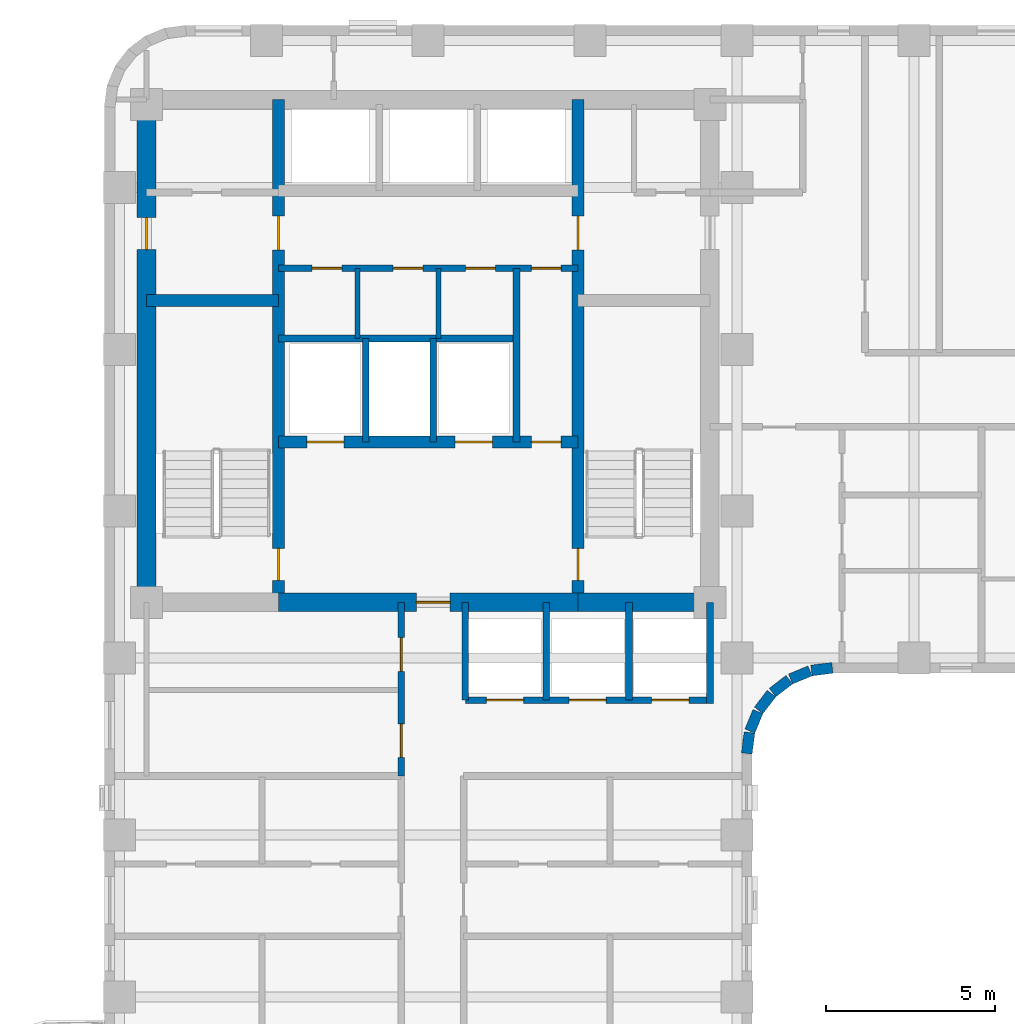
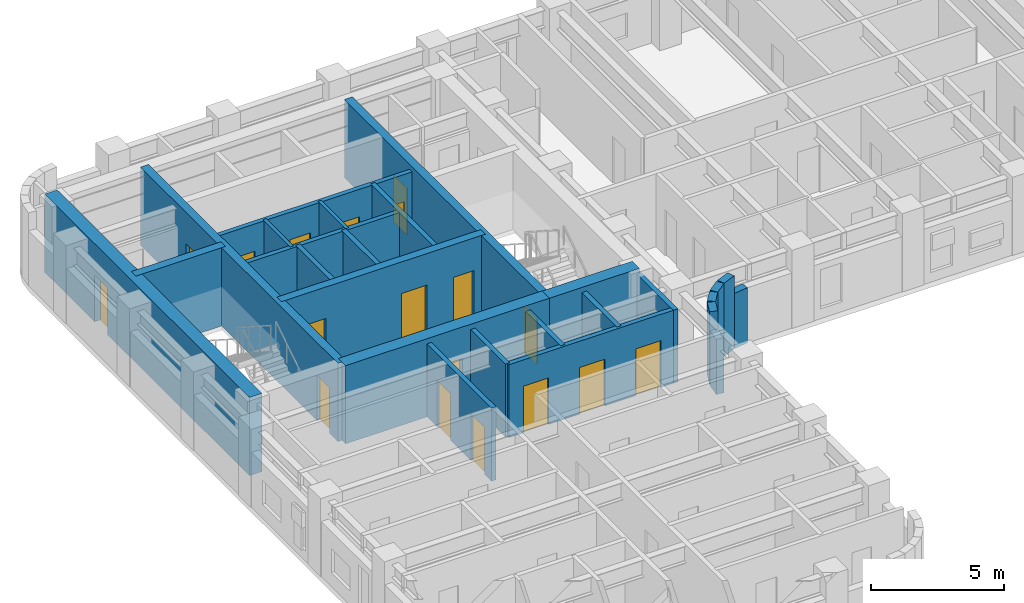
# One storey, part 4 of 10: 26 walls, 18 doors, 18 openings.
"""IFC4 building model written with IfcOpenShell, lengths in metres."""

from ifc_helpers import new_model, si_unit, direction, frame, frame_2d, origin, place, context, subcontext, project, spatial, rectangle, extrude, material, layer, layer_set, type_object, element, fill, save


model = new_model("IFC4")

# Units and contexts
model_context = context("Model", 3, precision=1e-05, world=origin(), true_north=direction((0.0, 1.0)))
body_context = subcontext(model_context, "Body", "Model", "MODEL_VIEW")
ifc_project = project(units=[si_unit("LENGTHUNIT", "METRE"), si_unit("AREAUNIT", "SQUARE_METRE"), si_unit("VOLUMEUNIT", "CUBIC_METRE"), si_unit("PLANEANGLEUNIT", "RADIAN"), si_unit("MASSUNIT", "GRAM", prefix="KILO")], contexts=[model_context])

# Site, building, storey
site_placement = place(None, origin())
site = spatial("IfcSite", under=ifc_project, at=site_placement, CompositionType="ELEMENT")
building_placement = place(site_placement, origin())
building = spatial("IfcBuilding", under=site, at=building_placement, Name="Orvandelia Arch Residences", CompositionType="ELEMENT")
storey_placement = place(building_placement, frame((0.0, 0.0, 118.0)))
storey = spatial("IfcBuildingStorey", under=building, at=storey_placement, Name="L30", CompositionType="ELEMENT", Elevation=118.0)

# Wall, openings, doors
ifc_material_1 = material(Name="Concrete C50/60", Category="concrete")
ifc_layer_1 = layer(ifc_material_1, 0.35009765625, Name="Concrete C50/60", Category="concrete")
ifc_layer_set_1 = layer_set([ifc_layer_1], Name="Concrete C50/60")
wall_type_1 = type_object("IfcWallType", Name="WL-CORE-350", PredefinedType="SHEAR", material=ifc_layer_set_1)
wall_1_placement = place(storey_placement, frame((9.9599609375, 30.89990234375, 0.0), z_axis=(0.0, 0.0, 1.0), x_axis=(0.0, 1.0, 0.0)))
wall_1 = element("IfcWall", 1, at=wall_1_placement, inside=storey, type_object=wall_type_1, Name="Core Shear Wall L30-WEB1", PredefinedType="SHEAR", context=body_context, shape_type="SweptSolid", body=[
    extrude(rectangle(XDim=14.900146484375, YDim=0.35009765625, at=frame_2d((7.4501953125, 0.0))), origin(), (0.0, 0.0, 1.0), 3.60009765625),
])
opening_1_placement = place(wall_1_placement, frame((0.64990234375, 0.0, 0.0)))
opening_1 = element("IfcOpeningElement", 2, at=opening_1_placement, cuts=wall_1, Name="Opening D7", PredefinedType="OPENING", context=body_context, shape_type="SweptSolid", body=[
    extrude(rectangle(XDim=0.949951171875, YDim=2.10009765625, at=frame_2d((0.47509765625, 1.050048828125))), frame((0.0, 0.18505859375, 0.0), z_axis=(0.0, -1.0, 0.0), x_axis=(1.0, 0.0, 0.0)), (0.0, 0.0, 1.0), 0.3701171875),
])
opening_2_placement = place(wall_1_placement, frame((10.449951171875, 0.0, 0.0)))
opening_2 = element("IfcOpeningElement", 3, at=opening_2_placement, cuts=wall_1, Name="Opening D6", PredefinedType="OPENING", context=body_context, shape_type="SweptSolid", body=[
    extrude(rectangle(XDim=1.0, YDim=2.14990234375, at=frame_2d((0.5, 1.074951171875))), frame((0.0, 0.18505859375, 0.0), z_axis=(0.0, -1.0, 0.0), x_axis=(1.0, 0.0, 0.0)), (0.0, 0.0, 1.0), 0.3701171875),
])
ifc_material_2 = material(Name="Smokeproof Painted Steel Fire Door", Category="steel")
door_type_1 = type_object("IfcDoorType", Name="DR-FD60-1000", OperationType="NOTDEFINED", PredefinedType="DOOR", material=ifc_material_2)
door_1_placement = place(opening_2_placement, origin())
door_1 = element("IfcDoor", 4, at=door_1_placement, inside=storey, type_object=door_type_1, Name="High-Rise Lift Hall West Vestibule Door L30", OperationType="SINGLE_SWING_LEFT", OverallHeight=2.14990234375, OverallWidth=1.0, PredefinedType="DOOR", context=body_context, shape_type="SweptSolid", body=[
    extrude(rectangle(XDim=1.0, YDim=2.14990234375, at=frame_2d((0.5, 1.074951171875))), frame((0.0, 0.02490234375, 0.0), z_axis=(0.0, -1.0, 0.0), x_axis=(1.0, 0.0, 0.0)), (0.0, 0.0, 1.0), 0.050048828125),
])
fill(opening_2, door_1)
ifc_material_3 = material(Name="Pressurised Stairwell Fire Door")
door_type_2 = type_object("IfcDoorType", Name="DR-STAIR-950", OperationType="NOTDEFINED", PredefinedType="DOOR", material=ifc_material_3)
door_2_placement = place(opening_1_placement, origin())
door_2 = element("IfcDoor", 5, at=door_2_placement, inside=storey, type_object=door_type_2, Name="Stairwell ST-1 Fire Door L30", OperationType="SINGLE_SWING_LEFT", OverallHeight=2.10009765625, OverallWidth=0.949951171875, PredefinedType="DOOR", context=body_context, shape_type="SweptSolid", body=[
    extrude(rectangle(XDim=0.949951171875, YDim=2.10009765625, at=frame_2d((0.47509765625, 1.050048828125))), frame((0.0, 0.02490234375, 0.0), z_axis=(0.0, -1.0, 0.0), x_axis=(1.0, 0.0, 0.0)), (0.0, 0.0, 1.0), 0.050048828125),
])
fill(opening_1, door_2)

wall_2_placement = place(storey_placement, frame((18.840087890625, 30.89990234375, 0.0), z_axis=(0.0, 0.0, 1.0), x_axis=(0.0, 1.0, 0.0)))
wall_2 = element("IfcWall", 6, at=wall_2_placement, inside=storey, type_object=wall_type_1, Name="Core Shear Wall L30-WEB2", PredefinedType="SHEAR", context=body_context, shape_type="SweptSolid", body=[
    extrude(rectangle(XDim=14.900146484375, YDim=0.35009765625, at=frame_2d((7.4501953125, 0.0))), origin(), (0.0, 0.0, 1.0), 3.60009765625),
])
opening_3_placement = place(wall_2_placement, frame((0.64990234375, 0.0, 0.0)))
opening_3 = element("IfcOpeningElement", 7, at=opening_3_placement, cuts=wall_2, Name="Opening D7", PredefinedType="OPENING", context=body_context, shape_type="SweptSolid", body=[
    extrude(rectangle(XDim=0.949951171875, YDim=2.10009765625, at=frame_2d((0.47509765625, 1.050048828125))), frame((0.0, 0.18505859375, 0.0), z_axis=(0.0, -1.0, 0.0), x_axis=(1.0, 0.0, 0.0)), (0.0, 0.0, 1.0), 0.3701171875),
])
opening_4_placement = place(wall_2_placement, frame((10.449951171875, 0.0, 0.0)))
opening_4 = element("IfcOpeningElement", 8, at=opening_4_placement, cuts=wall_2, Name="Opening D6", PredefinedType="OPENING", context=body_context, shape_type="SweptSolid", body=[
    extrude(rectangle(XDim=1.0, YDim=2.14990234375, at=frame_2d((0.5, 1.074951171875))), frame((0.0, 0.18505859375, 0.0), z_axis=(0.0, -1.0, 0.0), x_axis=(1.0, 0.0, 0.0)), (0.0, 0.0, 1.0), 0.3701171875),
])
door_3_placement = place(opening_4_placement, origin())
door_3 = element("IfcDoor", 9, at=door_3_placement, inside=storey, type_object=door_type_1, Name="High-Rise Lift Hall East Vestibule Door L30", OperationType="SINGLE_SWING_RIGHT", OverallHeight=2.14990234375, OverallWidth=1.0, PredefinedType="DOOR", context=body_context, shape_type="SweptSolid", body=[
    extrude(rectangle(XDim=1.0, YDim=2.14990234375, at=frame_2d((0.5, 1.074951171875))), frame((0.0, 0.02490234375, 0.0), z_axis=(0.0, -1.0, 0.0), x_axis=(1.0, 0.0, 0.0)), (0.0, 0.0, 1.0), 0.050048828125),
])
fill(opening_4, door_3)
door_4_placement = place(opening_3_placement, origin())
door_4 = element("IfcDoor", 10, at=door_4_placement, inside=storey, type_object=door_type_2, Name="Stairwell ST-2 Fire Door L30", OperationType="SINGLE_SWING_RIGHT", OverallHeight=2.10009765625, OverallWidth=0.949951171875, PredefinedType="DOOR", context=body_context, shape_type="SweptSolid", body=[
    extrude(rectangle(XDim=0.949951171875, YDim=2.10009765625, at=frame_2d((0.47509765625, 1.050048828125))), frame((0.0, 0.02490234375, 0.0), z_axis=(0.0, -1.0, 0.0), x_axis=(1.0, 0.0, 0.0)), (0.0, 0.0, 1.0), 0.050048828125),
])
fill(opening_3, door_4)

# Wall
wall_3_placement = place(storey_placement, frame((6.050048828125, 39.85009765625, 0.0), z_axis=(0.0, 0.0, 1.0), x_axis=(1.0, 0.0, 0.0)))
element("IfcWall", 11, at=wall_3_placement, inside=storey, type_object=wall_type_1, Name="Core Shear Wall L30-HZ1", PredefinedType="SHEAR", context=body_context, shape_type="SweptSolid", body=[
    extrude(rectangle(XDim=3.909912109375, YDim=0.35009765625, at=frame_2d((1.955078125, 0.0))), origin(), (0.0, 0.0, 1.0), 3.60009765625),
])

# Wall, openings, doors
wall_4_placement = place(storey_placement, frame((9.9599609375, 35.64990234375, 0.0), z_axis=(0.0, 0.0, 1.0), x_axis=(1.0, 0.0, 0.0)))
wall_4 = element("IfcWall", 12, at=wall_4_placement, inside=storey, type_object=wall_type_1, Name="Core Shear Wall L30-HZ3", PredefinedType="SHEAR", context=body_context, shape_type="SweptSolid", body=[
    extrude(rectangle(XDim=8.880126953125, YDim=0.35009765625, at=frame_2d((4.43994140625, 0.0))), origin(), (0.0, 0.0, 1.0), 3.60009765625),
])
opening_5_placement = place(wall_4_placement, frame((0.840087890625, 0.0, 0.0)))
opening_5 = element("IfcOpeningElement", 13, at=opening_5_placement, cuts=wall_4, Name="Opening FLD", PredefinedType="OPENING", context=body_context, shape_type="SweptSolid", body=[
    extrude(rectangle(XDim=1.10009765625, YDim=2.14990234375, at=frame_2d((0.550048828125, 1.074951171875))), frame((0.0, 0.18505859375, 0.0), z_axis=(0.0, -1.0, 0.0), x_axis=(1.0, 0.0, 0.0)), (0.0, 0.0, 1.0), 0.3701171875),
])
opening_6_placement = place(wall_4_placement, frame((5.239990234375, 0.0, 0.0)))
opening_6 = element("IfcOpeningElement", 14, at=opening_6_placement, cuts=wall_4, Name="Opening FLD", PredefinedType="OPENING", context=body_context, shape_type="SweptSolid", body=[
    extrude(rectangle(XDim=1.10009765625, YDim=2.14990234375, at=frame_2d((0.550048828125, 1.074951171875))), frame((0.0, 0.18505859375, 0.0), z_axis=(0.0, -1.0, 0.0), x_axis=(1.0, 0.0, 0.0)), (0.0, 0.0, 1.0), 0.3701171875),
])
opening_7_placement = place(wall_4_placement, frame((7.5, 0.0, 0.0)))
opening_7 = element("IfcOpeningElement", 15, at=opening_7_placement, cuts=wall_4, Name="Opening D5", PredefinedType="OPENING", context=body_context, shape_type="SweptSolid", body=[
    extrude(rectangle(XDim=0.8798828125, YDim=2.10009765625, at=frame_2d((0.43994140625, 1.050048828125))), frame((0.0, 0.18505859375, 0.0), z_axis=(0.0, -1.0, 0.0), x_axis=(1.0, 0.0, 0.0)), (0.0, 0.0, 1.0), 0.3701171875),
])
ifc_material_4 = material(Name="Firefighting Lift Stainless Sliding Door")
door_type_3 = type_object("IfcDoorType", Name="DR-FLFT-1100", OperationType="NOTDEFINED", PredefinedType="DOOR", material=ifc_material_4)
door_5_placement = place(opening_5_placement, origin())
door_5 = element("IfcDoor", 16, at=door_5_placement, inside=storey, type_object=door_type_3, Name="Firefighting Lift Landing Door FLD-FL1-L30", OperationType="SLIDING_TO_LEFT", OverallHeight=2.14990234375, OverallWidth=1.10009765625, PredefinedType="DOOR", context=body_context, shape_type="SweptSolid", body=[
    extrude(rectangle(XDim=1.10009765625, YDim=2.14990234375, at=frame_2d((0.550048828125, 1.074951171875))), frame((0.0, 0.02490234375, 0.0), z_axis=(0.0, -1.0, 0.0), x_axis=(1.0, 0.0, 0.0)), (0.0, 0.0, 1.0), 0.050048828125),
])
fill(opening_5, door_5)
door_6_placement = place(opening_6_placement, origin())
door_6 = element("IfcDoor", 17, at=door_6_placement, inside=storey, type_object=door_type_3, Name="Firefighting Lift Landing Door FLD-FL2-L30", OperationType="SLIDING_TO_RIGHT", OverallHeight=2.14990234375, OverallWidth=1.10009765625, PredefinedType="DOOR", context=body_context, shape_type="SweptSolid", body=[
    extrude(rectangle(XDim=1.10009765625, YDim=2.14990234375, at=frame_2d((0.550048828125, 1.074951171875))), frame((0.0, 0.02490234375, 0.0), z_axis=(0.0, -1.0, 0.0), x_axis=(1.0, 0.0, 0.0)), (0.0, 0.0, 1.0), 0.050048828125),
])
fill(opening_6, door_6)
ifc_material_5 = material(Name="Painted Galvanised Steel Service Door", Category="steel")
door_type_4 = type_object("IfcDoorType", Name="DR-SRV-880", OperationType="NOTDEFINED", PredefinedType="DOOR", material=ifc_material_5)
door_7_placement = place(opening_7_placement, origin())
door_7 = element("IfcDoor", 18, at=door_7_placement, inside=storey, type_object=door_type_4, Name="Core Stairway Passage South Fire Door L30", OperationType="SINGLE_SWING_LEFT", OverallHeight=2.10009765625, OverallWidth=0.8798828125, PredefinedType="DOOR", context=body_context, shape_type="SweptSolid", body=[
    extrude(rectangle(XDim=0.8798828125, YDim=2.10009765625, at=frame_2d((0.43994140625, 1.050048828125))), frame((0.0, 0.02490234375, 0.0), z_axis=(0.0, -1.0, 0.0), x_axis=(1.0, 0.0, 0.0)), (0.0, 0.0, 1.0), 0.050048828125),
])
fill(opening_7, door_7)

# Wall, opening, door
ifc_material_6 = material(Name="Concrete C60/75", Category="concrete")
ifc_layer_2 = layer(ifc_material_6, 0.550048828125, Name="Concrete C60/75", Category="concrete")
ifc_layer_set_2 = layer_set([ifc_layer_2], Name="Concrete C60/75")
wall_type_2 = type_object("IfcWallType", Name="WL-CORE-550", PredefinedType="SHEAR", material=ifc_layer_set_2)
wall_5_placement = place(storey_placement, frame((6.050048828125, 30.625, 0.0), z_axis=(0.0, 0.0, 1.0), x_axis=(0.0, 1.0, 0.0)))
wall_5 = element("IfcWall", 19, at=wall_5_placement, inside=storey, type_object=wall_type_2, Name="Core Shear Wall L30-W", PredefinedType="SHEAR", context=body_context, shape_type="SweptSolid", body=[
    extrude(rectangle(XDim=15.449951171875, YDim=0.550048828125, at=frame_2d((7.72509765625, 0.0))), origin(), (0.0, 0.0, 1.0), 3.60009765625),
])
opening_8_placement = place(wall_5_placement, frame((10.72509765625, 0.0, 0.0)))
opening_8 = element("IfcOpeningElement", 20, at=opening_8_placement, cuts=wall_5, Name="Opening D2", PredefinedType="OPENING", context=body_context, shape_type="SweptSolid", body=[
    extrude(rectangle(XDim=0.949951171875, YDim=2.14990234375, at=frame_2d((0.47509765625, 1.074951171875))), frame((0.0, 0.28515625, 0.0), z_axis=(0.0, -1.0, 0.0), x_axis=(1.0, 0.0, 0.0)), (0.0, 0.0, 1.0), 0.570068359375),
])
ifc_material_7 = material(Name="Solid-Core Timber Interior Fire Door", Category="wood")
door_type_5 = type_object("IfcDoorType", Name="DR-APT-950", OperationType="NOTDEFINED", PredefinedType="DOOR", material=ifc_material_7)
door_8_placement = place(opening_8_placement, origin())
door_8 = element("IfcDoor", 21, at=door_8_placement, inside=storey, type_object=door_type_5, Name="West Viewing Study Door L30", OperationType="SINGLE_SWING_RIGHT", OverallHeight=2.14990234375, OverallWidth=0.949951171875, PredefinedType="DOOR", context=body_context, shape_type="SweptSolid", body=[
    extrude(rectangle(XDim=0.949951171875, YDim=2.14990234375, at=frame_2d((0.47509765625, 1.074951171875))), frame((0.0, 0.02490234375, 0.0), z_axis=(0.0, -1.0, 0.0), x_axis=(1.0, 0.0, 0.0)), (0.0, 0.0, 1.0), 0.050048828125),
])
fill(opening_8, door_8)

wall_6_placement = place(storey_placement, frame((9.9599609375, 30.89990234375, 0.0), z_axis=(0.0, 0.0, 1.0), x_axis=(1.0, 0.0, 0.0)))
wall_6 = element("IfcWall", 22, at=wall_6_placement, inside=storey, type_object=wall_type_2, Name="Core Shear Wall L30-SM", PredefinedType="SHEAR", context=body_context, shape_type="SweptSolid", body=[
    extrude(rectangle(XDim=8.880126953125, YDim=0.550048828125, at=frame_2d((4.43994140625, 0.0))), origin(), (0.0, 0.0, 1.0), 3.60009765625),
])
opening_9_placement = place(wall_6_placement, frame((4.090087890625, 0.0, 0.0)))
opening_9 = element("IfcOpeningElement", 23, at=opening_9_placement, cuts=wall_6, Name="Opening D6", PredefinedType="OPENING", context=body_context, shape_type="SweptSolid", body=[
    extrude(rectangle(XDim=1.0, YDim=2.14990234375, at=frame_2d((0.5, 1.074951171875))), frame((0.0, 0.28515625, 0.0), z_axis=(0.0, -1.0, 0.0), x_axis=(1.0, 0.0, 0.0)), (0.0, 0.0, 1.0), 0.570068359375),
])
door_9_placement = place(opening_9_placement, origin())
door_9 = element("IfcDoor", 24, at=door_9_placement, inside=storey, type_object=door_type_1, Name="Firefighting Lobby Smokeproof Door L30", OperationType="SINGLE_SWING_LEFT", OverallHeight=2.14990234375, OverallWidth=1.0, PredefinedType="DOOR", context=body_context, shape_type="SweptSolid", body=[
    extrude(rectangle(XDim=1.0, YDim=2.14990234375, at=frame_2d((0.5, 1.074951171875))), frame((0.0, 0.02490234375, 0.0), z_axis=(0.0, -1.0, 0.0), x_axis=(1.0, 0.0, 0.0)), (0.0, 0.0, 1.0), 0.050048828125),
])
fill(opening_9, door_9)

# Walls
wall_7_placement = place(storey_placement, frame((18.840087890625, 30.89990234375, 0.0), z_axis=(0.0, 0.0, 1.0), x_axis=(1.0, 0.0, 0.0)))
element("IfcWall", 25, at=wall_7_placement, inside=storey, type_object=wall_type_2, Name="Core Shear Wall L30-SE", PredefinedType="SHEAR", context=body_context, shape_type="SweptSolid", body=[
    extrude(rectangle(XDim=3.909912109375, YDim=0.550048828125, at=frame_2d((1.955078125, 0.0))), origin(), (0.0, 0.0, 1.0), 3.60009765625),
])
ifc_material_8 = material(Name="Precast concrete C40/50", Category="concrete")
ifc_layer_3 = layer(ifc_material_8, 0.320068359375, Name="Precast concrete C40/50", Category="concrete")
ifc_layer_set_3 = layer_set([ifc_layer_3], Name="Precast concrete C40/50")
wall_type_3 = type_object("IfcWallType", Name="WL-EXT-STONE-320", PredefinedType="STANDARD", material=ifc_layer_set_3)
wall_8_placement = place(storey_placement, frame((26.379150390625, 28.95849609375, 0.0), z_axis=(0.0, 0.0, 1.0), x_axis=(-0.991447664465, -0.130504898859, 0.0)))
element("IfcWall", 26, at=wall_8_placement, inside=storey, type_object=wall_type_3, Name="Coral-Limestone Precast Facade Wall L30-022", PredefinedType="STANDARD", context=body_context, shape_type="SweptSolid", body=[
    extrude(rectangle(XDim=0.626708984375, YDim=0.320068359375, at=frame_2d((0.3134765625, 0.0))), origin(), (0.0, 0.0, 1.0), 2.5400390625),
])
wall_9_placement = place(storey_placement, frame((25.717529296875, 28.865966796875, 0.0), z_axis=(0.0, 0.0, 1.0), x_axis=(-0.923836271867, -0.382787856107, 0.0)))
element("IfcWall", 27, at=wall_9_placement, inside=storey, type_object=wall_type_3, Name="Coral-Limestone Precast Facade Wall L30-023", PredefinedType="STANDARD", context=body_context, shape_type="SweptSolid", body=[
    extrude(rectangle(XDim=0.626220703125, YDim=0.320068359375, at=frame_2d((0.31298828125, 0.0))), origin(), (0.0, 0.0, 1.0), 3.360107421875),
])
for number, where, z_axis, x_axis, name in (
    (28, (25.1025390625, 28.60546875, 0.0), (0.0, 0.0, 1.0), (-0.793405610854, -0.608693302629, 0.0), "Coral-Limestone Precast Facade Wall L30-024"),
    (29, (24.575927734375, 28.194580078125, 0.0), (0.0, 0.0, 1.0), (-0.608693302629, -0.793405610854, 0.0), "Coral-Limestone Precast Facade Wall L30-025"),
):
    element("IfcWall", number, at=place(storey_placement, frame(where, z_axis=z_axis, x_axis=x_axis)), inside=storey, type_object=wall_type_3, Name=name, PredefinedType="STANDARD", context=body_context, shape_type="SweptSolid", body=[
        extrude(rectangle(XDim=0.62646484375, YDim=0.320068359375, at=frame_2d((0.313232421875, 0.0))), origin(), (0.0, 0.0, 1.0), 3.360107421875),
    ])
wall_10_placement = place(storey_placement, frame((24.173583984375, 27.6611328125, 0.0), z_axis=(0.0, 0.0, 1.0), x_axis=(-0.382455093999, -0.923974080304, 0.0)))
element("IfcWall", 30, at=wall_10_placement, inside=storey, type_object=wall_type_3, Name="Coral-Limestone Precast Facade Wall L30-026", PredefinedType="STANDARD", context=body_context, shape_type="SweptSolid", body=[
    extrude(rectangle(XDim=0.626220703125, YDim=0.320068359375, at=frame_2d((0.31298828125, 0.0))), origin(), (0.0, 0.0, 1.0), 3.360107421875),
])
wall_11_placement = place(storey_placement, frame((23.923095703125, 27.0419921875, 0.0), z_axis=(0.0, 0.0, 1.0), x_axis=(-0.130555323746, -0.9914410257, 0.0)))
element("IfcWall", 31, at=wall_11_placement, inside=storey, type_object=wall_type_3, Name="Coral-Limestone Precast Facade Wall L30-027", PredefinedType="STANDARD", context=body_context, shape_type="SweptSolid", body=[
    extrude(rectangle(XDim=0.62646484375, YDim=0.320068359375, at=frame_2d((0.313232421875, 0.0))), origin(), (0.0, 0.0, 1.0), 2.5400390625),
])
ifc_material_9 = material(Name="Acoustic Gypsum Stud Partition")
ifc_layer_4 = layer(ifc_material_9, 0.14990234375, Name="Acoustic Gypsum Stud Partition")
ifc_layer_set_4 = layer_set([ifc_layer_4], Name="Acoustic Gypsum Stud Partition")
wall_type_4 = type_object("IfcWallType", Name="WL-PART-150", PredefinedType="PARTITIONING", material=ifc_layer_set_4)
for number, where, z_axis, x_axis, name in (
    (32, (12.300048828125, 38.719970703125, 0.0), (0.0, 0.0, 1.0), (0.0, 1.0, 0.0), "Interior Partition Wall WL-L30-CSA-1"),
    (33, (14.699951171875, 38.719970703125, 0.0), (0.0, 0.0, 1.0), (0.0, 1.0, 0.0), "Interior Partition Wall WL-L30-CSA-2"),
):
    element("IfcWall", number, at=place(storey_placement, frame(where, z_axis=z_axis, x_axis=x_axis)), inside=storey, type_object=wall_type_4, Name=name, PredefinedType="PARTITIONING", context=body_context, shape_type="SweptSolid", body=[
        extrude(rectangle(XDim=2.080078125, YDim=0.14990234375, at=frame_2d((1.0400390625, 0.0))), origin(), (0.0, 0.0, 1.0), 3.360107421875),
    ])
ifc_material_10 = material(Name="Fire-Rated Shaft Enclosure Wall")
ifc_layer_5 = layer(ifc_material_10, 0.199951171875, Name="Fire-Rated Shaft Enclosure Wall")
ifc_layer_set_5 = layer_set([ifc_layer_5], Name="Fire-Rated Shaft Enclosure Wall")
wall_type_5 = type_object("IfcWallType", Name="WL-SHAFT-200", PredefinedType="POLYGONAL", material=ifc_layer_set_5)
wall_12_placement = place(storey_placement, frame((9.9599609375, 38.719970703125, 0.0), z_axis=(0.0, 0.0, 1.0), x_axis=(1.0, 0.0, 0.0)))
element("IfcWall", 34, at=wall_12_placement, inside=storey, type_object=wall_type_5, Name="Interior Partition Wall WL-L30-FLN", PredefinedType="POLYGONAL", context=body_context, shape_type="SweptSolid", body=[
    extrude(rectangle(XDim=7.06005859375, YDim=0.199951171875, at=frame_2d((3.530029296875, 0.0))), origin(), (0.0, 0.0, 1.0), 3.360107421875),
])
for number, where, z_axis, x_axis, name in (
    (35, (12.550048828125, 35.64990234375, 0.0), (0.0, 0.0, 1.0), (0.0, 1.0, 0.0), "Interior Partition Wall WL-L30-FLM1"),
    (36, (14.550048828125, 35.64990234375, 0.0), (0.0, 0.0, 1.0), (0.0, 1.0, 0.0), "Interior Partition Wall WL-L30-FLM2"),
):
    element("IfcWall", number, at=place(storey_placement, frame(where, z_axis=z_axis, x_axis=x_axis)), inside=storey, type_object=wall_type_5, Name=name, PredefinedType="POLYGONAL", context=body_context, shape_type="SweptSolid", body=[
        extrude(rectangle(XDim=3.070068359375, YDim=0.199951171875, at=frame_2d((1.53515625, 0.0))), origin(), (0.0, 0.0, 1.0), 3.360107421875),
    ])
wall_13_placement = place(storey_placement, frame((17.02001953125, 35.64990234375, 0.0), z_axis=(0.0, 0.0, 1.0), x_axis=(0.0, 1.0, 0.0)))
element("IfcWall", 37, at=wall_13_placement, inside=storey, type_object=wall_type_5, Name="Interior Partition Wall WL-L30-FLM3", PredefinedType="POLYGONAL", context=body_context, shape_type="SweptSolid", body=[
    extrude(rectangle(XDim=5.150146484375, YDim=0.199951171875, at=frame_2d((2.5751953125, 0.0))), origin(), (0.0, 0.0, 1.0), 3.360107421875),
])

# Wall, openings, doors
wall_14_placement = place(storey_placement, frame((9.9599609375, 40.800048828125, 0.0), z_axis=(0.0, 0.0, 1.0), x_axis=(1.0, 0.0, 0.0)))
wall_14 = element("IfcWall", 38, at=wall_14_placement, inside=storey, type_object=wall_type_5, Name="Interior Partition Wall WL-L30-HLH-S", PredefinedType="POLYGONAL", context=body_context, shape_type="SweptSolid", body=[
    extrude(rectangle(XDim=8.880126953125, YDim=0.199951171875, at=frame_2d((4.43994140625, 0.0))), origin(), (0.0, 0.0, 1.0), 3.360107421875),
])
opening_10_placement = place(wall_14_placement, frame((7.5, 0.0, 0.0)))
opening_10 = element("IfcOpeningElement", 39, at=opening_10_placement, cuts=wall_14, Name="Opening D5", PredefinedType="OPENING", context=body_context, shape_type="SweptSolid", body=[
    extrude(rectangle(XDim=0.8798828125, YDim=2.10009765625, at=frame_2d((0.43994140625, 1.050048828125))), frame((0.0, 0.10986328125, 0.0), z_axis=(0.0, -1.0, 0.0), x_axis=(1.0, 0.0, 0.0)), (0.0, 0.0, 1.0), 0.219970703125),
])
opening_11_placement = place(wall_14_placement, frame((1.0, 0.0, 0.0)))
opening_11 = element("IfcOpeningElement", 40, at=opening_11_placement, cuts=wall_14, Name="Opening D5", PredefinedType="OPENING", context=body_context, shape_type="SweptSolid", body=[
    extrude(rectangle(XDim=0.8798828125, YDim=2.10009765625, at=frame_2d((0.43994140625, 1.050048828125))), frame((0.0, 0.10986328125, 0.0), z_axis=(0.0, -1.0, 0.0), x_axis=(1.0, 0.0, 0.0)), (0.0, 0.0, 1.0), 0.219970703125),
])
opening_12_placement = place(wall_14_placement, frame((3.39990234375, 0.0, 0.0)))
opening_12 = element("IfcOpeningElement", 41, at=opening_12_placement, cuts=wall_14, Name="Opening D5", PredefinedType="OPENING", context=body_context, shape_type="SweptSolid", body=[
    extrude(rectangle(XDim=0.8798828125, YDim=2.10009765625, at=frame_2d((0.43994140625, 1.050048828125))), frame((0.0, 0.10986328125, 0.0), z_axis=(0.0, -1.0, 0.0), x_axis=(1.0, 0.0, 0.0)), (0.0, 0.0, 1.0), 0.219970703125),
])
opening_13_placement = place(wall_14_placement, frame((5.550048828125, 0.0, 0.0)))
opening_13 = element("IfcOpeningElement", 42, at=opening_13_placement, cuts=wall_14, Name="Opening D5", PredefinedType="OPENING", context=body_context, shape_type="SweptSolid", body=[
    extrude(rectangle(XDim=0.8798828125, YDim=2.10009765625, at=frame_2d((0.43994140625, 1.050048828125))), frame((0.0, 0.10986328125, 0.0), z_axis=(0.0, -1.0, 0.0), x_axis=(1.0, 0.0, 0.0)), (0.0, 0.0, 1.0), 0.219970703125),
])
door_10_placement = place(opening_10_placement, origin())
door_10 = element("IfcDoor", 43, at=door_10_placement, inside=storey, type_object=door_type_4, Name="Core Stairway Passage North Fire Door L30", OperationType="SINGLE_SWING_RIGHT", OverallHeight=2.10009765625, OverallWidth=0.8798828125, PredefinedType="DOOR", context=body_context, shape_type="SweptSolid", body=[
    extrude(rectangle(XDim=0.8798828125, YDim=2.10009765625, at=frame_2d((0.43994140625, 1.050048828125))), frame((0.0, 0.02490234375, 0.0), z_axis=(0.0, -1.0, 0.0), x_axis=(1.0, 0.0, 0.0)), (0.0, 0.0, 1.0), 0.050048828125),
])
fill(opening_10, door_10)
door_11_placement = place(opening_11_placement, origin())
door_11 = element("IfcDoor", 44, at=door_11_placement, inside=storey, type_object=door_type_4, Name="DR-L30-CSA1", OperationType="SINGLE_SWING_LEFT", OverallHeight=2.10009765625, OverallWidth=0.8798828125, PredefinedType="DOOR", context=body_context, shape_type="SweptSolid", body=[
    extrude(rectangle(XDim=0.8798828125, YDim=2.10009765625, at=frame_2d((0.43994140625, 1.050048828125))), frame((0.0, 0.02490234375, 0.0), z_axis=(0.0, -1.0, 0.0), x_axis=(1.0, 0.0, 0.0)), (0.0, 0.0, 1.0), 0.050048828125),
])
fill(opening_11, door_11)
door_12_placement = place(opening_12_placement, origin())
door_12 = element("IfcDoor", 45, at=door_12_placement, inside=storey, type_object=door_type_4, Name="DR-L30-CSA2", OperationType="SINGLE_SWING_RIGHT", OverallHeight=2.10009765625, OverallWidth=0.8798828125, PredefinedType="DOOR", context=body_context, shape_type="SweptSolid", body=[
    extrude(rectangle(XDim=0.8798828125, YDim=2.10009765625, at=frame_2d((0.43994140625, 1.050048828125))), frame((0.0, 0.02490234375, 0.0), z_axis=(0.0, -1.0, 0.0), x_axis=(1.0, 0.0, 0.0)), (0.0, 0.0, 1.0), 0.050048828125),
])
fill(opening_12, door_12)
door_13_placement = place(opening_13_placement, origin())
door_13 = element("IfcDoor", 46, at=door_13_placement, inside=storey, type_object=door_type_4, Name="DR-L30-CSA3", OperationType="SINGLE_SWING_LEFT", OverallHeight=2.10009765625, OverallWidth=0.8798828125, PredefinedType="DOOR", context=body_context, shape_type="SweptSolid", body=[
    extrude(rectangle(XDim=0.8798828125, YDim=2.10009765625, at=frame_2d((0.43994140625, 1.050048828125))), frame((0.0, 0.02490234375, 0.0), z_axis=(0.0, -1.0, 0.0), x_axis=(1.0, 0.0, 0.0)), (0.0, 0.0, 1.0), 0.050048828125),
])
fill(opening_13, door_13)

wall_15_placement = place(storey_placement, frame((13.60009765625, 25.75, 0.0), z_axis=(0.0, 0.0, 1.0), x_axis=(0.0, 1.0, 0.0)))
wall_15 = element("IfcWall", 47, at=wall_15_placement, inside=storey, type_object=wall_type_5, Name="Interior Partition Wall WL-L30-B1REUSE-E", PredefinedType="POLYGONAL", context=body_context, shape_type="SweptSolid", body=[
    extrude(rectangle(XDim=5.14990234375, YDim=0.199951171875, at=frame_2d((2.574951171875, 0.0))), origin(), (0.0, 0.0, 1.0), 3.360107421875),
])
opening_14_placement = place(wall_15_placement, frame((0.550048828125, 0.0, 0.0)))
opening_14 = element("IfcOpeningElement", 48, at=opening_14_placement, cuts=wall_15, Name="Opening D6", PredefinedType="OPENING", context=body_context, shape_type="SweptSolid", body=[
    extrude(rectangle(XDim=1.0, YDim=2.14990234375, at=frame_2d((0.5, 1.074951171875))), frame((0.0, 0.10986328125, 0.0), z_axis=(0.0, -1.0, 0.0), x_axis=(1.0, 0.0, 0.0)), (0.0, 0.0, 1.0), 0.219970703125),
])
opening_15_placement = place(wall_15_placement, frame((3.10009765625, 0.0, 0.0)))
opening_15 = element("IfcOpeningElement", 49, at=opening_15_placement, cuts=wall_15, Name="Opening D6", PredefinedType="OPENING", context=body_context, shape_type="SweptSolid", body=[
    extrude(rectangle(XDim=1.0, YDim=2.14990234375, at=frame_2d((0.5, 1.074951171875))), frame((0.0, 0.10986328125, 0.0), z_axis=(0.0, -1.0, 0.0), x_axis=(1.0, 0.0, 0.0)), (0.0, 0.0, 1.0), 0.219970703125),
])
door_14_placement = place(opening_14_placement, origin())
door_14 = element("IfcDoor", 50, at=door_14_placement, inside=storey, type_object=door_type_1, Name="DR-L30-B1RS", OperationType="SINGLE_SWING_LEFT", OverallHeight=2.14990234375, OverallWidth=1.0, PredefinedType="DOOR", context=body_context, shape_type="SweptSolid", body=[
    extrude(rectangle(XDim=1.0, YDim=2.14990234375, at=frame_2d((0.5, 1.074951171875))), frame((0.0, 0.02490234375, 0.0), z_axis=(0.0, -1.0, 0.0), x_axis=(1.0, 0.0, 0.0)), (0.0, 0.0, 1.0), 0.050048828125),
])
fill(opening_14, door_14)
door_15_placement = place(opening_15_placement, origin())
door_15 = element("IfcDoor", 51, at=door_15_placement, inside=storey, type_object=door_type_1, Name="DR-L30-B1RN", OperationType="SINGLE_SWING_RIGHT", OverallHeight=2.14990234375, OverallWidth=1.0, PredefinedType="DOOR", context=body_context, shape_type="SweptSolid", body=[
    extrude(rectangle(XDim=1.0, YDim=2.14990234375, at=frame_2d((0.5, 1.074951171875))), frame((0.0, 0.02490234375, 0.0), z_axis=(0.0, -1.0, 0.0), x_axis=(1.0, 0.0, 0.0)), (0.0, 0.0, 1.0), 0.050048828125),
])
fill(opening_15, door_15)

wall_16_placement = place(storey_placement, frame((15.5, 28.0, 0.0), z_axis=(0.0, 0.0, 1.0), x_axis=(1.0, 0.0, 0.0)))
wall_16 = element("IfcWall", 52, at=wall_16_placement, inside=storey, type_object=wall_type_5, Name="Interior Partition Wall WL-L30-BNKM-S", PredefinedType="POLYGONAL", context=body_context, shape_type="SweptSolid", body=[
    extrude(rectangle(XDim=7.25, YDim=0.199951171875, at=frame_2d((3.625, 0.0))), origin(), (0.0, 0.0, 1.0), 3.360107421875),
])
opening_16_placement = place(wall_16_placement, frame((0.625, 0.0, 0.0)))
opening_16 = element("IfcOpeningElement", 53, at=opening_16_placement, cuts=wall_16, Name="Opening LD", PredefinedType="OPENING", context=body_context, shape_type="SweptSolid", body=[
    extrude(rectangle(XDim=1.10009765625, YDim=2.14990234375, at=frame_2d((0.550048828125, 1.074951171875))), frame((0.0, 0.10986328125, 0.0), z_axis=(0.0, -1.0, 0.0), x_axis=(1.0, 0.0, 0.0)), (0.0, 0.0, 1.0), 0.219970703125),
])
opening_17_placement = place(wall_16_placement, frame((3.074951171875, 0.0, 0.0)))
opening_17 = element("IfcOpeningElement", 54, at=opening_17_placement, cuts=wall_16, Name="Opening LD", PredefinedType="OPENING", context=body_context, shape_type="SweptSolid", body=[
    extrude(rectangle(XDim=1.10009765625, YDim=2.14990234375, at=frame_2d((0.550048828125, 1.074951171875))), frame((0.0, 0.10986328125, 0.0), z_axis=(0.0, -1.0, 0.0), x_axis=(1.0, 0.0, 0.0)), (0.0, 0.0, 1.0), 0.219970703125),
])
opening_18_placement = place(wall_16_placement, frame((5.52490234375, 0.0, 0.0)))
opening_18 = element("IfcOpeningElement", 55, at=opening_18_placement, cuts=wall_16, Name="Opening LD", PredefinedType="OPENING", context=body_context, shape_type="SweptSolid", body=[
    extrude(rectangle(XDim=1.10009765625, YDim=2.14990234375, at=frame_2d((0.550048828125, 1.074951171875))), frame((0.0, 0.10986328125, 0.0), z_axis=(0.0, -1.0, 0.0), x_axis=(1.0, 0.0, 0.0)), (0.0, 0.0, 1.0), 0.219970703125),
])
ifc_material_11 = material(Name="Brushed Stainless Steel Sliding Lift Door", Category="steel")
door_type_6 = type_object("IfcDoorType", Name="DR-LIFT-1100", OperationType="NOTDEFINED", PredefinedType="DOOR", material=ifc_material_11)
door_16_placement = place(opening_16_placement, origin())
door_16 = element("IfcDoor", 56, at=door_16_placement, inside=storey, type_object=door_type_6, Name="Lift Landing Door LD-PM1", OperationType="SLIDING_TO_LEFT", OverallHeight=2.14990234375, OverallWidth=1.10009765625, PredefinedType="DOOR", context=body_context, shape_type="SweptSolid", body=[
    extrude(rectangle(XDim=1.10009765625, YDim=2.14990234375, at=frame_2d((0.550048828125, 1.074951171875))), frame((0.0, 0.02490234375, 0.0), z_axis=(0.0, -1.0, 0.0), x_axis=(1.0, 0.0, 0.0)), (0.0, 0.0, 1.0), 0.050048828125),
])
fill(opening_16, door_16)
door_17_placement = place(opening_17_placement, origin())
door_17 = element("IfcDoor", 57, at=door_17_placement, inside=storey, type_object=door_type_6, Name="Lift Landing Door LD-PM2", OperationType="SLIDING_TO_RIGHT", OverallHeight=2.14990234375, OverallWidth=1.10009765625, PredefinedType="DOOR", context=body_context, shape_type="SweptSolid", body=[
    extrude(rectangle(XDim=1.10009765625, YDim=2.14990234375, at=frame_2d((0.550048828125, 1.074951171875))), frame((0.0, 0.02490234375, 0.0), z_axis=(0.0, -1.0, 0.0), x_axis=(1.0, 0.0, 0.0)), (0.0, 0.0, 1.0), 0.050048828125),
])
fill(opening_17, door_17)
door_18_placement = place(opening_18_placement, origin())
door_18 = element("IfcDoor", 58, at=door_18_placement, inside=storey, type_object=door_type_6, Name="Lift Landing Door LD-PM3", OperationType="SLIDING_TO_LEFT", OverallHeight=2.14990234375, OverallWidth=1.10009765625, PredefinedType="DOOR", context=body_context, shape_type="SweptSolid", body=[
    extrude(rectangle(XDim=1.10009765625, YDim=2.14990234375, at=frame_2d((0.550048828125, 1.074951171875))), frame((0.0, 0.02490234375, 0.0), z_axis=(0.0, -1.0, 0.0), x_axis=(1.0, 0.0, 0.0)), (0.0, 0.0, 1.0), 0.050048828125),
])
fill(opening_18, door_18)

# Walls
wall_17_placement = place(storey_placement, frame((15.5, 28.0, 0.0), z_axis=(0.0, 0.0, 1.0), x_axis=(0.0, 1.0, 0.0)))
element("IfcWall", 59, at=wall_17_placement, inside=storey, type_object=wall_type_5, Name="Interior Partition Wall WL-L30-BNKM-W", PredefinedType="POLYGONAL", context=body_context, shape_type="SweptSolid", body=[
    extrude(rectangle(XDim=2.89990234375, YDim=0.199951171875, at=frame_2d((1.449951171875, 0.0))), origin(), (0.0, 0.0, 1.0), 3.360107421875),
])
wall_18_placement = place(storey_placement, frame((22.75, 27.89990234375, 0.0), z_axis=(0.0, 0.0, 1.0), x_axis=(0.0, 1.0, 0.0)))
element("IfcWall", 60, at=wall_18_placement, inside=storey, type_object=wall_type_5, Name="Interior Partition Wall WL-L30-BNKM-E", PredefinedType="POLYGONAL", context=body_context, shape_type="SweptSolid", body=[
    extrude(rectangle(XDim=3.0, YDim=0.199951171875, at=frame_2d((1.5, 0.0))), origin(), (0.0, 0.0, 1.0), 3.360107421875),
])
for number, where, z_axis, x_axis, name in (
    (61, (17.89990234375, 28.0, 0.0), (0.0, 0.0, 1.0), (0.0, 1.0, 0.0), "Interior Partition Wall WL-L30-BNKMD-1789"),
    (62, (20.35009765625, 28.0, 0.0), (0.0, 0.0, 1.0), (0.0, 1.0, 0.0), "Interior Partition Wall WL-L30-BNKMD-2035"),
):
    element("IfcWall", number, at=place(storey_placement, frame(where, z_axis=z_axis, x_axis=x_axis)), inside=storey, type_object=wall_type_5, Name=name, PredefinedType="POLYGONAL", context=body_context, shape_type="SweptSolid", body=[
        extrude(rectangle(XDim=2.89990234375, YDim=0.199951171875, at=frame_2d((1.449951171875, 0.0))), origin(), (0.0, 0.0, 1.0), 3.360107421875),
    ])

save(model, "model.ifc")
